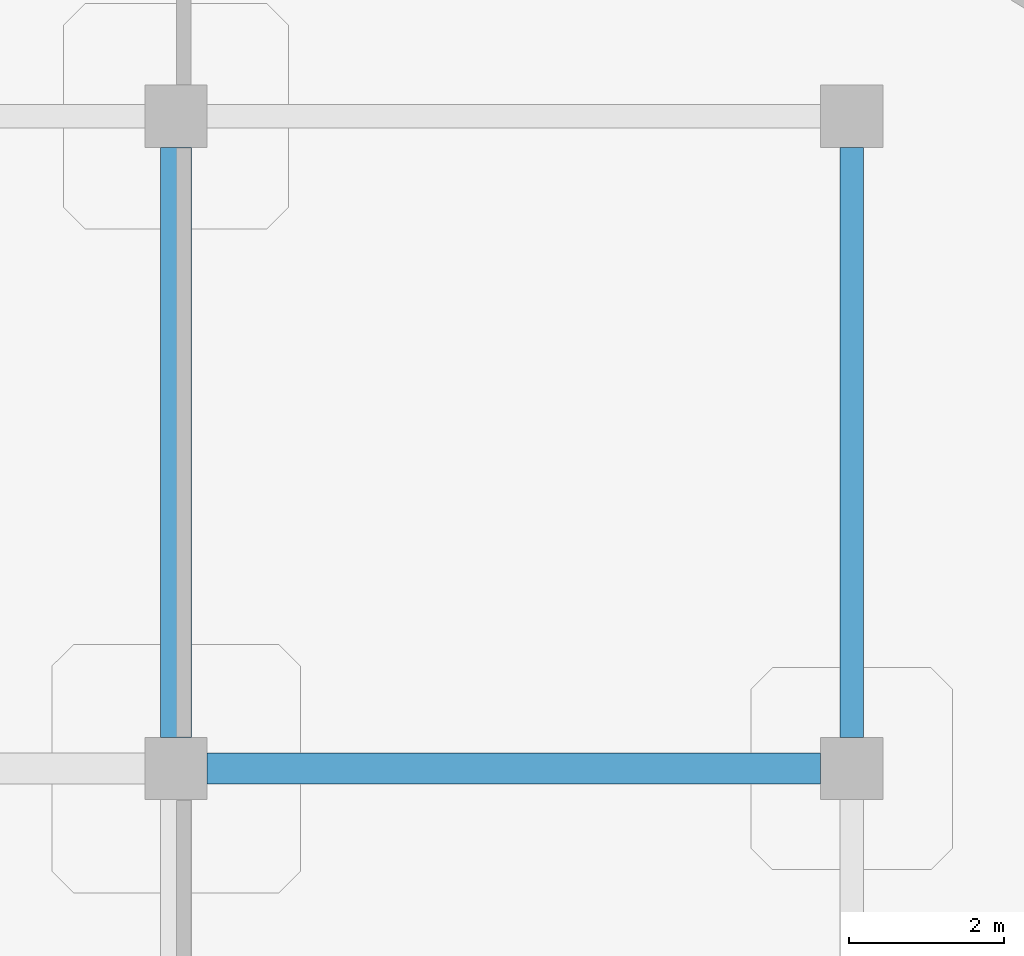
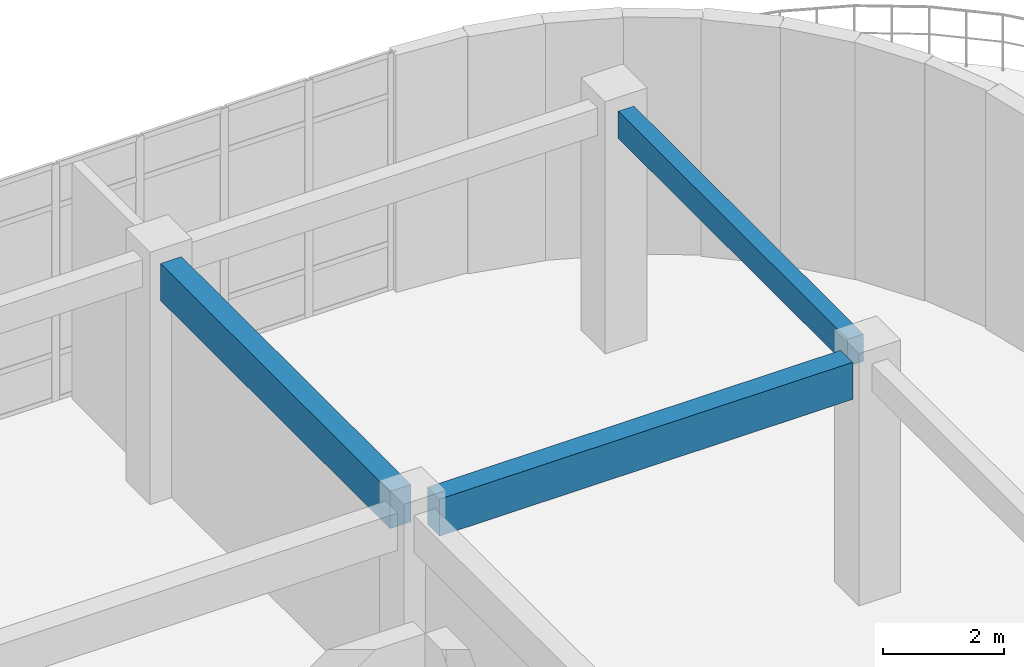
# One storey, part 77 of 124: 3 beams.
"""IFC4 building model written with IfcOpenShell, lengths in metres."""

import ifcopenshell
import ifcopenshell.guid

model = None  # the IFC model being written
_history = None  # IfcOwnerHistory: only IFC2X3 demands one
_inside = {}  # id of a spatial element -> (the spatial element, [elements in it])
_under = {}  # id of a project, library or spatial element -> (it, [spatial elements below it])
_declared = {}  # id of a project -> (the project, [libraries it declares])
_typed = {}  # id of a type object -> (the type object, [elements of that type])
_made_of = {}  # id of a material, layer set ... -> (it, [elements and type objects made of it])


def new_model(schema):
    """Start an empty IFC model of exactly this schema.

    Asked for "IFC4X3", IfcOpenShell would pick the latest addendum, in which some entities
    have other attributes; the version numbers below select the first issue.
    IFC2X3 requires an IfcOwnerHistory on every rooted entity: one is made here for all.
    """
    global model, _history
    if schema == "IFC4X3":
        model = ifcopenshell.file(schema_version=(4, 3, 0, 0))
    else:
        model = ifcopenshell.file(schema=schema)
    _inside.clear()
    _under.clear()
    _declared.clear()
    _typed.clear()
    _made_of.clear()
    _history = None
    if model.schema == "IFC2X3":
        org = make("IfcOrganization", Name="unknown")
        user = make(
            "IfcPersonAndOrganization",
            ThePerson=make("IfcPerson", FamilyName="unknown"),
            TheOrganization=org,
        )
        app = make(
            "IfcApplication",
            ApplicationDeveloper=org,
            Version="unknown",
            ApplicationFullName="unknown",
            ApplicationIdentifier="unknown",
        )
        _history = make(
            "IfcOwnerHistory",
            OwningUser=user,
            OwningApplication=app,
            ChangeAction="ADDED",
            CreationDate=0,
        )
    return model


def make(cls, **values):
    """One entity of the class cls with the attributes given. An attribute that is None is left unset."""
    return model.create_entity(
        cls, **{name: value for name, value in values.items() if value is not None}
    )


def rooted(cls, **values):
    """An entity with a GlobalId (a new one), such as an element, a storey or a relation."""
    return make(cls, GlobalId=ifcopenshell.guid.new(), OwnerHistory=_history, **values)


def si_unit(unit_type, name, prefix=None):
    """IfcSIUnit, for example si_unit("LENGTHUNIT", "METRE", prefix="MILLI")."""
    return make("IfcSIUnit", UnitType=unit_type, Prefix=prefix, Name=name)


def derived_unit(unit_type, elements):
    """IfcDerivedUnit: a product of units, each with its exponent."""
    return make(
        "IfcDerivedUnit",
        Elements=[
            make("IfcDerivedUnitElement", Unit=unit, Exponent=power)
            for unit, power in elements
        ],
        UnitType=unit_type,
    )


def assignment(units):
    """IfcUnitAssignment: the units of a project."""
    return None if units is None else make("IfcUnitAssignment", Units=units)


def point(xyz):
    """IfcCartesianPoint."""
    return None if xyz is None else make("IfcCartesianPoint", Coordinates=xyz)


def direction(xyz):
    """IfcDirection."""
    return None if xyz is None else make("IfcDirection", DirectionRatios=xyz)


def frame(location, z_axis=None, x_axis=None):
    """IfcAxis2Placement3D, a coordinate frame: its origin and axes. An axis left out is left unset."""
    return make(
        "IfcAxis2Placement3D",
        Location=point(location),
        Axis=direction(z_axis),
        RefDirection=direction(x_axis),
    )


def frame_2d(location, x_axis=None):
    """IfcAxis2Placement2D, a coordinate frame in the plane: its origin and x axis."""
    return make(
        "IfcAxis2Placement2D", Location=point(location), RefDirection=direction(x_axis)
    )


def origin():
    """The frame at (0, 0, 0) with its axes left unset."""
    return frame((0.0, 0.0, 0.0))


def origin_2d():
    """The frame at (0, 0) in the plane with its x axis left unset."""
    return frame_2d((0.0, 0.0))


def place(relative_to, where):
    """IfcLocalPlacement: puts the frame where relative to a parent placement (None: the world)."""
    return make(
        "IfcLocalPlacement", PlacementRelTo=relative_to, RelativePlacement=where
    )


def context(
    kind, dimensions, precision=None, world=None, true_north=None, identifier=None
):
    """IfcGeometricRepresentationContext, for example the 3D "Model" context."""
    return make(
        "IfcGeometricRepresentationContext",
        ContextIdentifier=identifier,
        ContextType=kind,
        CoordinateSpaceDimension=dimensions,
        Precision=precision,
        WorldCoordinateSystem=world,
        TrueNorth=true_north,
    )


def subcontext(parent, identifier, kind, view, scale=None):
    """IfcGeometricRepresentationSubContext, for example "Body" below "Model"."""
    return make(
        "IfcGeometricRepresentationSubContext",
        ContextIdentifier=identifier,
        ContextType=kind,
        ParentContext=parent,
        TargetScale=scale,
        TargetView=view,
    )


def project(units=None, contexts=None):
    """IfcProject with its units and contexts."""
    return rooted(
        "IfcProject",
        Name="project",
        RepresentationContexts=contexts,
        UnitsInContext=assignment(units),
    )


def spatial(cls, under=None, at=None, **own):
    """A site, building, storey or space (cls), placed at a placement, below another one or the project."""
    s = rooted(cls, ObjectPlacement=at, **own)
    if under is not None:
        _under.setdefault(under.id(), (under, []))[1].append(s)
    return s


def profile(cls, at=None, kind="AREA", **sizes):
    """A parametric profile (cls). Its sizes go by their IFC names, for example OverallWidth=200.0."""
    return make(cls, ProfileType=kind, Position=at, **sizes)


def rectangle(**sizes):
    """IfcRectangleProfileDef."""
    return profile("IfcRectangleProfileDef", **sizes)


def extrude(swept, where, along, depth):
    """IfcExtrudedAreaSolid: the profile swept, set in the frame where, extruded along a direction by depth."""
    return make(
        "IfcExtrudedAreaSolid",
        SweptArea=swept,
        Position=where,
        ExtrudedDirection=direction(along),
        Depth=depth,
    )


def shape(context_of_items, identifier, shape_type, items):
    """IfcShapeRepresentation: the items that make up one representation, for example the "Body"."""
    return make(
        "IfcShapeRepresentation",
        ContextOfItems=context_of_items,
        RepresentationIdentifier=identifier,
        RepresentationType=shape_type,
        Items=items,
    )


def material(Name=None, Category=None):
    """IfcMaterial."""
    return make("IfcMaterial", Name=Name, Category=Category)


def material_profile(
    of_material, cross_section, Name=None, Category=None, Priority=None
):
    """IfcMaterialProfile: a cross section and its material."""
    return make(
        "IfcMaterialProfile",
        Name=Name,
        Material=of_material,
        Profile=cross_section,
        Priority=Priority,
        Category=Category,
    )


def profile_set(profiles, Name=None, composite=None):
    """IfcMaterialProfileSet."""
    return make(
        "IfcMaterialProfileSet",
        Name=Name,
        MaterialProfiles=profiles,
        CompositeProfile=composite,
    )


def made_of(thing, what):
    """Note that an element or type object is made of a material, layer set ...; save() writes the relation."""
    if what is not None:
        _made_of.setdefault(what.id(), (what, []))[1].append(thing)
    return thing


def type_object(cls, material=None, **own):
    """A type object (cls), such as IfcWallType, which elements share."""
    return made_of(rooted(cls, **own), material)


def element(
    cls,
    number,
    at=None,
    inside=None,
    cuts=None,
    type_object=None,
    material=None,
    context=None,
    identifier="Body",
    shape_type=None,
    held_by="IfcProductDefinitionShape",
    body=None,
    shapes=None,
    **own,
):
    """One element of the class cls, such as IfcWall. Its Tag is "e" and its number.

    at: its placement. inside: the storey or other place that contains it. cuts: it is an
    opening in that element (IfcRelVoidsElement). A single representation is given by context,
    identifier, shape_type and body (its items); several are given by shapes. held_by: the class
    of the entity that holds the representations. save() writes the other relations.
    """
    e = rooted(cls, Tag="e%d" % number, ObjectPlacement=at, **own)
    if body is not None:
        shapes = [shape(context, identifier, shape_type, body)]
    if shapes is not None:
        e.Representation = make(held_by, Representations=shapes)
    if inside is not None:
        _inside.setdefault(inside.id(), (inside, []))[1].append(e)
    if cuts is not None:
        rooted(
            "IfcRelVoidsElement", RelatingBuildingElement=cuts, RelatedOpeningElement=e
        )
    if type_object is not None:
        _typed.setdefault(type_object.id(), (type_object, []))[1].append(e)
    return made_of(e, material)


def aggregate(whole, parts):
    """IfcRelAggregates: a whole, such as a stair, and the parts it consists of."""
    return rooted("IfcRelAggregates", RelatingObject=whole, RelatedObjects=parts)


def save(model, path):
    """Write the relations noted so far, then the file.

    IfcRelAggregates (storeys below a building ...), IfcRelContainedInSpatialStructure (elements
    in a storey), IfcRelDefinesByType, IfcRelAssociatesMaterial and IfcRelDeclares: one each for
    every whole, place, type object, material and project.
    """
    for whole, parts in _under.values():
        aggregate(whole, parts)
    for where, things in _inside.values():
        rooted(
            "IfcRelContainedInSpatialStructure",
            RelatedElements=things,
            RelatingStructure=where,
        )
    for kind, things in _typed.values():
        rooted("IfcRelDefinesByType", RelatedObjects=things, RelatingType=kind)
    for what, things in _made_of.values():
        rooted("IfcRelAssociatesMaterial", RelatedObjects=things, RelatingMaterial=what)
    for by, libraries in _declared.values():
        rooted("IfcRelDeclares", RelatingContext=by, RelatedDefinitions=libraries)
    model.write(path)


model = new_model("IFC4")

# Units and contexts
model_context = context("Model", 3, precision=1e-05, world=origin(), true_north=direction((0.0, 1.0)))
body_context = subcontext(model_context, "Body", "Model", "MODEL_VIEW")
ifc_project = project(units=[si_unit("LENGTHUNIT", "METRE"), si_unit("AREAUNIT", "SQUARE_METRE"), si_unit("VOLUMEUNIT", "CUBIC_METRE"), si_unit("PLANEANGLEUNIT", "RADIAN"), si_unit("MASSUNIT", "GRAM", prefix="KILO"), derived_unit("THERMALTRANSMITTANCEUNIT", [(si_unit("MASSUNIT", "GRAM", prefix="KILO"), 1), (si_unit("TIMEUNIT", "SECOND"), -3), (si_unit("THERMODYNAMICTEMPERATUREUNIT", "KELVIN"), -1)])], contexts=[model_context])

# Site, building, storey
site_placement = place(None, origin())
site = spatial("IfcSite", under=ifc_project, at=site_placement, CompositionType="ELEMENT")
building_placement = place(site_placement, origin())
building = spatial("IfcBuilding", under=site, at=building_placement, Name="Qinzheling Arcade Emporium", CompositionType="ELEMENT")
storey_placement = place(building_placement, frame((0.0, 0.0, 16.5)))
storey = spatial("IfcBuildingStorey", under=building, at=storey_placement, Name="L04", CompositionType="ELEMENT", Elevation=16.5)

# Beams
ifc_material = material(Name="Concrete C40", Category="concrete")
ifc_material_profile_1 = material_profile(ifc_material, rectangle(XDim=0.39990234375, YDim=0.75, at=origin_2d()), Name="RC 400x750", Category="concrete")
ifc_profile_set_1 = profile_set([ifc_material_profile_1], Name="Concrete C40")
beam_type_1 = type_object("IfcBeamType", Name="RC Interior Tie Beam 400x750 C40", PredefinedType="BEAM", material=ifc_profile_set_1)
beam_1_placement = place(storey_placement, frame((148.300048828125, 16.800048828125, 4.429931640625), z_axis=(1.0, 0.0, 0.0), x_axis=(0.0, 1.0, 0.0)))
element("IfcBeam", 1, at=beam_1_placement, inside=storey, type_object=beam_type_1, Name="Beam BM-L04-X-C-18", PredefinedType="BEAM", context=body_context, shape_type="SweptSolid", body=[
    extrude(rectangle(XDim=0.39990234375, YDim=0.75, at=origin_2d()), origin(), (0.0, 0.0, 1.0), 7.89990234375),
])
beam_2_placement = place(storey_placement, frame((147.89990234375, 17.199951171875, 4.429931640625), z_axis=(0.0, 1.0, 0.0), x_axis=(-1.0, 0.0, 0.0)))
element("IfcBeam", 2, at=beam_2_placement, inside=storey, type_object=beam_type_1, Name="Beam BM-L04-Y-18-C", PredefinedType="BEAM", context=body_context, shape_type="SweptSolid", body=[
    extrude(rectangle(XDim=0.39990234375, YDim=0.75, at=origin_2d()), origin(), (0.0, 0.0, 1.0), 7.60009765625),
])
ifc_material_profile_2 = material_profile(ifc_material, rectangle(XDim=0.300048828125, YDim=0.550048828125, at=origin_2d()), Name="RC 300x550", Category="concrete")
ifc_profile_set_2 = profile_set([ifc_material_profile_2], Name="Concrete C40")
beam_type_2 = type_object("IfcBeamType", Name="RC Terrace Spandrel Beam 300x550 C40", PredefinedType="SPANDREL", material=ifc_profile_set_2)
beam_3_placement = place(storey_placement, frame((156.60009765625, 17.199951171875, 4.544921875), z_axis=(0.0, 1.0, 0.0), x_axis=(-1.0, 0.0, 0.0)))
element("IfcBeam", 3, at=beam_3_placement, inside=storey, type_object=beam_type_2, Name="Beam BM-L04-Y-19-C", PredefinedType="SPANDREL", context=body_context, shape_type="SweptSolid", body=[
    extrude(rectangle(XDim=0.300048828125, YDim=0.550048828125, at=origin_2d()), origin(), (0.0, 0.0, 1.0), 7.60009765625),
])

save(model, "model.ifc")
